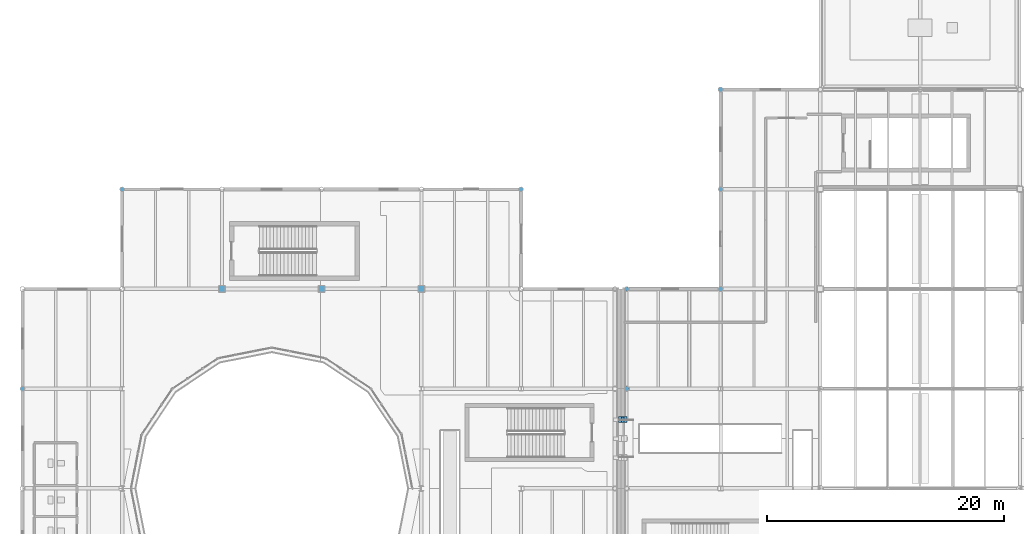
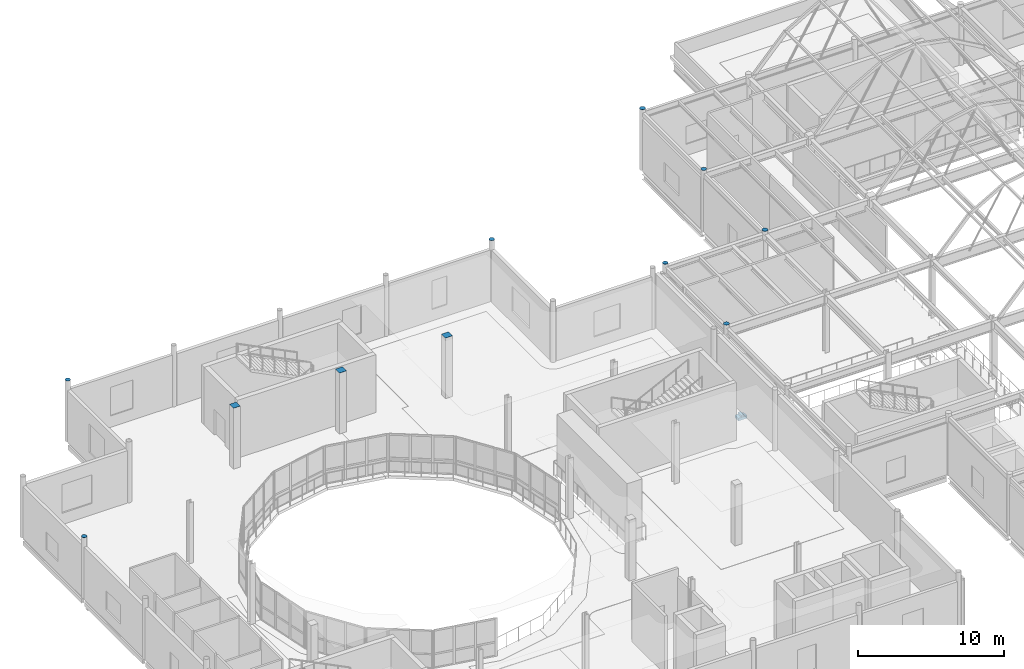
# One storey, part 78 of 103: 13 discrete accessories.
"""IFC4 building model written with IfcOpenShell, lengths in metres."""

import ifcopenshell
import ifcopenshell.guid

model = None  # the IFC model being written
_history = None  # IfcOwnerHistory: only IFC2X3 demands one
_inside = {}  # id of a spatial element -> (the spatial element, [elements in it])
_under = {}  # id of a project, library or spatial element -> (it, [spatial elements below it])
_declared = {}  # id of a project -> (the project, [libraries it declares])
_typed = {}  # id of a type object -> (the type object, [elements of that type])
_made_of = {}  # id of a material, layer set ... -> (it, [elements and type objects made of it])


def new_model(schema):
    """Start an empty IFC model of exactly this schema.

    Asked for "IFC4X3", IfcOpenShell would pick the latest addendum, in which some entities
    have other attributes; the version numbers below select the first issue.
    IFC2X3 requires an IfcOwnerHistory on every rooted entity: one is made here for all.
    """
    global model, _history
    if schema == "IFC4X3":
        model = ifcopenshell.file(schema_version=(4, 3, 0, 0))
    else:
        model = ifcopenshell.file(schema=schema)
    _inside.clear()
    _under.clear()
    _declared.clear()
    _typed.clear()
    _made_of.clear()
    _history = None
    if model.schema == "IFC2X3":
        org = make("IfcOrganization", Name="unknown")
        user = make(
            "IfcPersonAndOrganization",
            ThePerson=make("IfcPerson", FamilyName="unknown"),
            TheOrganization=org,
        )
        app = make(
            "IfcApplication",
            ApplicationDeveloper=org,
            Version="unknown",
            ApplicationFullName="unknown",
            ApplicationIdentifier="unknown",
        )
        _history = make(
            "IfcOwnerHistory",
            OwningUser=user,
            OwningApplication=app,
            ChangeAction="ADDED",
            CreationDate=0,
        )
    return model


def make(cls, **values):
    """One entity of the class cls with the attributes given. An attribute that is None is left unset."""
    return model.create_entity(
        cls, **{name: value for name, value in values.items() if value is not None}
    )


def rooted(cls, **values):
    """An entity with a GlobalId (a new one), such as an element, a storey or a relation."""
    return make(cls, GlobalId=ifcopenshell.guid.new(), OwnerHistory=_history, **values)


def si_unit(unit_type, name, prefix=None):
    """IfcSIUnit, for example si_unit("LENGTHUNIT", "METRE", prefix="MILLI")."""
    return make("IfcSIUnit", UnitType=unit_type, Prefix=prefix, Name=name)


def assignment(units):
    """IfcUnitAssignment: the units of a project."""
    return None if units is None else make("IfcUnitAssignment", Units=units)


def point(xyz):
    """IfcCartesianPoint."""
    return None if xyz is None else make("IfcCartesianPoint", Coordinates=xyz)


def direction(xyz):
    """IfcDirection."""
    return None if xyz is None else make("IfcDirection", DirectionRatios=xyz)


def frame(location, z_axis=None, x_axis=None):
    """IfcAxis2Placement3D, a coordinate frame: its origin and axes. An axis left out is left unset."""
    return make(
        "IfcAxis2Placement3D",
        Location=point(location),
        Axis=direction(z_axis),
        RefDirection=direction(x_axis),
    )


def frame_2d(location, x_axis=None):
    """IfcAxis2Placement2D, a coordinate frame in the plane: its origin and x axis."""
    return make(
        "IfcAxis2Placement2D", Location=point(location), RefDirection=direction(x_axis)
    )


def origin():
    """The frame at (0, 0, 0) with its axes left unset."""
    return frame((0.0, 0.0, 0.0))


def origin_2d():
    """The frame at (0, 0) in the plane with its x axis left unset."""
    return frame_2d((0.0, 0.0))


def place(relative_to, where):
    """IfcLocalPlacement: puts the frame where relative to a parent placement (None: the world)."""
    return make(
        "IfcLocalPlacement", PlacementRelTo=relative_to, RelativePlacement=where
    )


def context(
    kind, dimensions, precision=None, world=None, true_north=None, identifier=None
):
    """IfcGeometricRepresentationContext, for example the 3D "Model" context."""
    return make(
        "IfcGeometricRepresentationContext",
        ContextIdentifier=identifier,
        ContextType=kind,
        CoordinateSpaceDimension=dimensions,
        Precision=precision,
        WorldCoordinateSystem=world,
        TrueNorth=true_north,
    )


def subcontext(parent, identifier, kind, view, scale=None):
    """IfcGeometricRepresentationSubContext, for example "Body" below "Model"."""
    return make(
        "IfcGeometricRepresentationSubContext",
        ContextIdentifier=identifier,
        ContextType=kind,
        ParentContext=parent,
        TargetScale=scale,
        TargetView=view,
    )


def project(units=None, contexts=None):
    """IfcProject with its units and contexts."""
    return rooted(
        "IfcProject",
        Name="project",
        RepresentationContexts=contexts,
        UnitsInContext=assignment(units),
    )


def spatial(cls, under=None, at=None, **own):
    """A site, building, storey or space (cls), placed at a placement, below another one or the project."""
    s = rooted(cls, ObjectPlacement=at, **own)
    if under is not None:
        _under.setdefault(under.id(), (under, []))[1].append(s)
    return s


def profile(cls, at=None, kind="AREA", **sizes):
    """A parametric profile (cls). Its sizes go by their IFC names, for example OverallWidth=200.0."""
    return make(cls, ProfileType=kind, Position=at, **sizes)


def rectangle(**sizes):
    """IfcRectangleProfileDef."""
    return profile("IfcRectangleProfileDef", **sizes)


def circle(**sizes):
    """IfcCircleProfileDef."""
    return profile("IfcCircleProfileDef", **sizes)


def extrude(swept, where, along, depth):
    """IfcExtrudedAreaSolid: the profile swept, set in the frame where, extruded along a direction by depth."""
    return make(
        "IfcExtrudedAreaSolid",
        SweptArea=swept,
        Position=where,
        ExtrudedDirection=direction(along),
        Depth=depth,
    )


def shape(context_of_items, identifier, shape_type, items):
    """IfcShapeRepresentation: the items that make up one representation, for example the "Body"."""
    return make(
        "IfcShapeRepresentation",
        ContextOfItems=context_of_items,
        RepresentationIdentifier=identifier,
        RepresentationType=shape_type,
        Items=items,
    )


def material(Name=None, Category=None):
    """IfcMaterial."""
    return make("IfcMaterial", Name=Name, Category=Category)


def made_of(thing, what):
    """Note that an element or type object is made of a material, layer set ...; save() writes the relation."""
    if what is not None:
        _made_of.setdefault(what.id(), (what, []))[1].append(thing)
    return thing


def type_object(cls, material=None, **own):
    """A type object (cls), such as IfcWallType, which elements share."""
    return made_of(rooted(cls, **own), material)


def element(
    cls,
    number,
    at=None,
    inside=None,
    cuts=None,
    type_object=None,
    material=None,
    context=None,
    identifier="Body",
    shape_type=None,
    held_by="IfcProductDefinitionShape",
    body=None,
    shapes=None,
    **own,
):
    """One element of the class cls, such as IfcWall. Its Tag is "e" and its number.

    at: its placement. inside: the storey or other place that contains it. cuts: it is an
    opening in that element (IfcRelVoidsElement). A single representation is given by context,
    identifier, shape_type and body (its items); several are given by shapes. held_by: the class
    of the entity that holds the representations. save() writes the other relations.
    """
    e = rooted(cls, Tag="e%d" % number, ObjectPlacement=at, **own)
    if body is not None:
        shapes = [shape(context, identifier, shape_type, body)]
    if shapes is not None:
        e.Representation = make(held_by, Representations=shapes)
    if inside is not None:
        _inside.setdefault(inside.id(), (inside, []))[1].append(e)
    if cuts is not None:
        rooted(
            "IfcRelVoidsElement", RelatingBuildingElement=cuts, RelatedOpeningElement=e
        )
    if type_object is not None:
        _typed.setdefault(type_object.id(), (type_object, []))[1].append(e)
    return made_of(e, material)


def aggregate(whole, parts):
    """IfcRelAggregates: a whole, such as a stair, and the parts it consists of."""
    return rooted("IfcRelAggregates", RelatingObject=whole, RelatedObjects=parts)


def save(model, path):
    """Write the relations noted so far, then the file.

    IfcRelAggregates (storeys below a building ...), IfcRelContainedInSpatialStructure (elements
    in a storey), IfcRelDefinesByType, IfcRelAssociatesMaterial and IfcRelDeclares: one each for
    every whole, place, type object, material and project.
    """
    for whole, parts in _under.values():
        aggregate(whole, parts)
    for where, things in _inside.values():
        rooted(
            "IfcRelContainedInSpatialStructure",
            RelatedElements=things,
            RelatingStructure=where,
        )
    for kind, things in _typed.values():
        rooted("IfcRelDefinesByType", RelatedObjects=things, RelatingType=kind)
    for what, things in _made_of.values():
        rooted("IfcRelAssociatesMaterial", RelatedObjects=things, RelatingMaterial=what)
    for by, libraries in _declared.values():
        rooted("IfcRelDeclares", RelatingContext=by, RelatedDefinitions=libraries)
    model.write(path)


model = new_model("IFC4")

# Units and contexts
model_context = context("Model", 3, precision=1e-05, world=origin(), true_north=direction((0.0, 1.0)))
body_context = subcontext(model_context, "Body", "Model", "MODEL_VIEW")
ifc_project = project(units=[si_unit("LENGTHUNIT", "METRE"), si_unit("AREAUNIT", "SQUARE_METRE"), si_unit("VOLUMEUNIT", "CUBIC_METRE"), si_unit("PLANEANGLEUNIT", "RADIAN"), si_unit("MASSUNIT", "GRAM", prefix="KILO"), si_unit("THERMODYNAMICTEMPERATUREUNIT", "KELVIN")], contexts=[model_context])

# Site, building, storey
site_placement = place(None, origin())
site = spatial("IfcSite", under=ifc_project, at=site_placement, CompositionType="ELEMENT")
building_placement = place(site_placement, origin())
building = spatial("IfcBuilding", under=site, at=building_placement, Name="Lustrewick Department Store", CompositionType="ELEMENT")
storey_placement = place(building_placement, frame((0.0, 0.0, 16.5)))
storey = spatial("IfcBuildingStorey", under=building, at=storey_placement, Name="L04", CompositionType="ELEMENT", Elevation=16.5)

# Discrete accessories
ifc_material = material(Name="Structural steel Q355C", Category="steel")
discrete_accessory_type_1 = type_object("IfcDiscreteAccessoryType", Name="SB-CORBEL", PredefinedType="BRACKET", material=ifc_material)
discrete_accessory_1_placement = place(storey_placement, frame((58.949951171875, 73.0, -1.11279296875), z_axis=(0.0, 0.0, 1.0), x_axis=(1.0, 0.0, 0.0)))
element("IfcDiscreteAccessory", 1, at=discrete_accessory_1_placement, inside=storey, type_object=discrete_accessory_type_1, Name="L04 Skybridge SB12 700 mm Bearing Seat Corbel 3", PredefinedType="BRACKET", context=body_context, shape_type="SweptSolid", body=[
    extrude(rectangle(XDim=0.699951171875, YDim=0.47998046875, at=origin_2d()), origin(), (0.0, 0.0, 1.0), 0.219970703125),
])
discrete_accessory_type_2 = type_object("IfcDiscreteAccessoryType", Name="SB-PTFE", PredefinedType="BRACKET", material=ifc_material)
discrete_accessory_2_placement = place(storey_placement, frame((58.949951171875, 73.0, -0.89306640625), z_axis=(0.0, 0.0, 1.0), x_axis=(1.0, 0.0, 0.0)))
element("IfcDiscreteAccessory", 2, at=discrete_accessory_2_placement, inside=storey, type_object=discrete_accessory_type_2, Name="L04 Skybridge SB12 PTFE Sliding Bearing 3", PredefinedType="BRACKET", context=body_context, shape_type="SweptSolid", body=[
    extrude(rectangle(XDim=0.199951171875, YDim=0.449951171875, at=origin_2d()), origin(), (0.0, 0.0, 1.0), 0.159912109375),
])
discrete_accessory_type_3 = type_object("IfcDiscreteAccessoryType", Name="ECP-01", PredefinedType="USERDEFINED", material=ifc_material)
discrete_accessory_3_placement = place(storey_placement, frame((59.300048828125, 75.60009765625, 5.093994140625), z_axis=(0.0, 0.0, 1.0), x_axis=(1.0, 0.0, 0.0)))
element("IfcDiscreteAccessory", 3, at=discrete_accessory_3_placement, inside=storey, type_object=discrete_accessory_type_3, Name="L04 Welded Hollow-Section End-Cap Plate ECP-01", ObjectType="END_CAP_PLATE", PredefinedType="USERDEFINED", context=body_context, shape_type="SweptSolid", body=[
    extrude(circle(Radius=0.202880859375, at=origin_2d()), origin(), (0.0, 0.0, 1.0), 0.01611328125),
])
discrete_accessory_4_placement = place(storey_placement, frame((42.0, 84.0, 5.093994140625), z_axis=(0.0, 0.0, 1.0), x_axis=(1.0, 0.0, 0.0)))
element("IfcDiscreteAccessory", 4, at=discrete_accessory_4_placement, inside=storey, type_object=discrete_accessory_type_3, Name="L04 Welded Hollow-Section End-Cap Plate ECP-01", ObjectType="END_CAP_PLATE", PredefinedType="USERDEFINED", context=body_context, shape_type="SweptSolid", body=[
    extrude(rectangle(XDim=0.550048828125, YDim=0.550048828125, at=origin_2d()), origin(), (0.0, 0.0, 1.0), 0.01611328125),
])
for number, where, z_axis, x_axis, name in (
    (5, (50.39990234375, 92.39990234375, 5.093994140625), (0.0, 0.0, 1.0), (1.0, 0.0, 0.0), "L04 Welded Hollow-Section End-Cap Plate ECP-01"),
    (6, (8.39990234375, 75.60009765625, 5.093994140625), (0.0, 0.0, 1.0), (1.0, 0.0, 0.0), "L04 Welded Hollow-Section End-Cap Plate ECP-01"),
):
    element("IfcDiscreteAccessory", number, at=place(storey_placement, frame(where, z_axis=z_axis, x_axis=x_axis)), inside=storey, type_object=discrete_accessory_type_3, Name=name, ObjectType="END_CAP_PLATE", PredefinedType="USERDEFINED", context=body_context, shape_type="SweptSolid", body=[
        extrude(circle(Radius=0.1884765625, at=origin_2d()), origin(), (0.0, 0.0, 1.0), 0.01611328125),
    ])
for number, where, z_axis, x_axis, name in (
    (7, (25.199951171875, 84.0, 5.093994140625), (0.0, 0.0, 1.0), (1.0, 0.0, 0.0), "L04 Welded Hollow-Section End-Cap Plate ECP-01"),
    (8, (33.60009765625, 84.0, 5.093994140625), (0.0, 0.0, 1.0), (1.0, 0.0, 0.0), "L04 Welded Hollow-Section End-Cap Plate ECP-01"),
):
    element("IfcDiscreteAccessory", number, at=place(storey_placement, frame(where, z_axis=z_axis, x_axis=x_axis)), inside=storey, type_object=discrete_accessory_type_3, Name=name, ObjectType="END_CAP_PLATE", PredefinedType="USERDEFINED", context=body_context, shape_type="SweptSolid", body=[
        extrude(rectangle(XDim=0.550048828125, YDim=0.550048828125, at=origin_2d()), origin(), (0.0, 0.0, 1.0), 0.01611328125),
    ])
discrete_accessory_5_placement = place(storey_placement, frame((59.300048828125, 84.0, 5.093994140625), z_axis=(0.0, 0.0, 1.0), x_axis=(1.0, 0.0, 0.0)))
element("IfcDiscreteAccessory", 9, at=discrete_accessory_5_placement, inside=storey, type_object=discrete_accessory_type_3, Name="L04 Welded Hollow-Section End-Cap Plate ECP-01", ObjectType="END_CAP_PLATE", PredefinedType="USERDEFINED", context=body_context, shape_type="SweptSolid", body=[
    extrude(circle(Radius=0.1884765625, at=origin_2d()), origin(), (0.0, 0.0, 1.0), 0.01611328125),
])
discrete_accessory_6_placement = place(storey_placement, frame((67.199951171875, 84.0, 5.093994140625), z_axis=(0.0, 0.0, 1.0), x_axis=(1.0, 0.0, 0.0)))
element("IfcDiscreteAccessory", 10, at=discrete_accessory_6_placement, inside=storey, type_object=discrete_accessory_type_3, Name="L04 Welded Hollow-Section End-Cap Plate ECP-01", ObjectType="END_CAP_PLATE", PredefinedType="USERDEFINED", context=body_context, shape_type="SweptSolid", body=[
    extrude(circle(Radius=0.202880859375, at=origin_2d()), origin(), (0.0, 0.0, 1.0), 0.01611328125),
])
discrete_accessory_7_placement = place(storey_placement, frame((16.800048828125, 92.39990234375, 5.093994140625), z_axis=(0.0, 0.0, 1.0), x_axis=(1.0, 0.0, 0.0)))
element("IfcDiscreteAccessory", 11, at=discrete_accessory_7_placement, inside=storey, type_object=discrete_accessory_type_3, Name="L04 Welded Hollow-Section End-Cap Plate ECP-01", ObjectType="END_CAP_PLATE", PredefinedType="USERDEFINED", context=body_context, shape_type="SweptSolid", body=[
    extrude(circle(Radius=0.1884765625, at=origin_2d()), origin(), (0.0, 0.0, 1.0), 0.01611328125),
])
discrete_accessory_8_placement = place(storey_placement, frame((67.199951171875, 100.800048828125, 5.093994140625), z_axis=(0.0, 0.0, 1.0), x_axis=(1.0, 0.0, 0.0)))
element("IfcDiscreteAccessory", 12, at=discrete_accessory_8_placement, inside=storey, type_object=discrete_accessory_type_3, Name="L04 Welded Hollow-Section End-Cap Plate ECP-01", ObjectType="END_CAP_PLATE", PredefinedType="USERDEFINED", context=body_context, shape_type="SweptSolid", body=[
    extrude(circle(Radius=0.202880859375, at=origin_2d()), origin(), (0.0, 0.0, 1.0), 0.01611328125),
])
discrete_accessory_9_placement = place(storey_placement, frame((67.199951171875, 92.39990234375, 5.093994140625), z_axis=(0.0, 0.0, 1.0), x_axis=(1.0, 0.0, 0.0)))
element("IfcDiscreteAccessory", 13, at=discrete_accessory_9_placement, inside=storey, type_object=discrete_accessory_type_3, Name="L04 Welded Hollow-Section End-Cap Plate ECP-01", ObjectType="END_CAP_PLATE", PredefinedType="USERDEFINED", context=body_context, shape_type="SweptSolid", body=[
    extrude(circle(Radius=0.1884765625, at=origin_2d()), origin(), (0.0, 0.0, 1.0), 0.01611328125),
])

save(model, "model.ifc")
